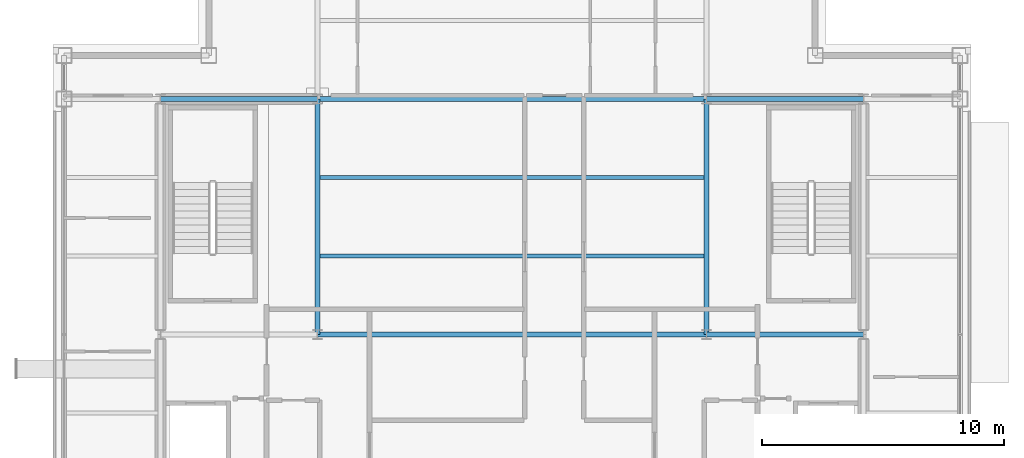
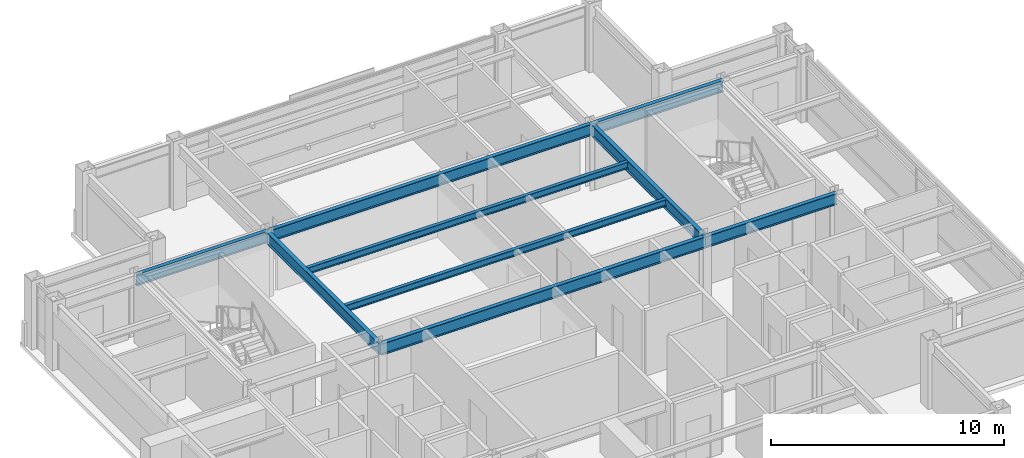
# One storey, part 9 of 20: 9 beams.
"""IFC4 building model written with IfcOpenShell, lengths in metres."""

from ifc_helpers import new_model, si_unit, direction, frame, origin, origin_2d, place, context, subcontext, project, spatial, i_section, extrude, material, material_profile, profile_set, type_object, element, save


model = new_model("IFC4")

# Units and contexts
model_context = context("Model", 3, precision=1e-05, world=origin(), true_north=direction((0.0, 1.0)))
body_context = subcontext(model_context, "Body", "Model", "MODEL_VIEW")
ifc_project = project(units=[si_unit("LENGTHUNIT", "METRE"), si_unit("AREAUNIT", "SQUARE_METRE"), si_unit("VOLUMEUNIT", "CUBIC_METRE"), si_unit("PLANEANGLEUNIT", "RADIAN"), si_unit("MASSUNIT", "GRAM", prefix="KILO")], contexts=[model_context])

# Site, building, storey
site_placement = place(None, origin())
site = spatial("IfcSite", under=ifc_project, at=site_placement, CompositionType="ELEMENT")
building_placement = place(site_placement, origin())
building = spatial("IfcBuilding", under=site, at=building_placement, Name="Brelmoor Portico Tower", CompositionType="ELEMENT")
storey_placement = place(building_placement, frame((0.0, 0.0, 243.60009765625)))
storey = spatial("IfcBuildingStorey", under=building, at=storey_placement, Name="L64", CompositionType="ELEMENT", Elevation=243.60009765625)

# Beams
ifc_material = material(Name="Steel Q355B", Category="steel")
ifc_material_profile_1 = material_profile(ifc_material, i_section(OverallWidth=0.175048828125, OverallDepth=0.35009765625, WebThickness=0.007080078125, FlangeThickness=0.010986328125, at=origin_2d()), Name="HN 350x175x7x11")
ifc_profile_set_1 = profile_set([ifc_material_profile_1], Name="Steel Q355B")
beam_type_1 = type_object("IfcBeamType", Name="BM-JS-350", PredefinedType="JOIST", material=ifc_profile_set_1)
for number, where, z_axis, x_axis, name in (
    (1, (-7.949951171875, 3.25, 3.224853515625), (1.0, 0.0, 0.0), (0.0, 1.0, 0.0), "L64 Secondary Composite Joist JS-C03"),
    (2, (-7.949951171875, 6.5, 3.224853515625), (1.0, 0.0, 0.0), (0.0, 1.0, 0.0), "L64 Secondary Composite Joist JS-C04"),
):
    element("IfcBeam", number, at=place(storey_placement, frame(where, z_axis=z_axis, x_axis=x_axis)), inside=storey, type_object=beam_type_1, Name=name, PredefinedType="JOIST", context=body_context, shape_type="SweptSolid", body=[
        extrude(i_section(OverallWidth=0.175048828125, OverallDepth=0.35009765625, WebThickness=0.007080078125, FlangeThickness=0.010986328125, at=origin_2d()), origin(), (0.0, 0.0, 1.0), 15.89990234375),
    ])
ifc_material_profile_2 = material_profile(ifc_material, i_section(OverallWidth=0.199951171875, OverallDepth=0.60009765625, WebThickness=0.010986328125, FlangeThickness=0.01708984375, at=origin_2d()), Name="HN 600x200x11x17")
ifc_profile_set_2 = profile_set([ifc_material_profile_2], Name="Steel Q355B")
beam_type_2 = type_object("IfcBeamType", Name="BM-PG-600", PredefinedType="BEAM", material=ifc_profile_set_2)
for number, where, z_axis, x_axis, name in (
    (3, (-8.050048828125, 0.0, 3.099853515625), (0.0, 1.0, 0.0), (-1.0, 0.0, 0.0), "L64 Primary Floor Girder PG-04"),
    (4, (8.050048828125, 0.0, 3.099853515625), (0.0, 1.0, 0.0), (-1.0, 0.0, 0.0), "L64 Primary Floor Girder PG-07"),
):
    element("IfcBeam", number, at=place(storey_placement, frame(where, z_axis=z_axis, x_axis=x_axis)), inside=storey, type_object=beam_type_2, Name=name, PredefinedType="BEAM", context=body_context, shape_type="SweptSolid", body=[
        extrude(i_section(OverallWidth=0.199951171875, OverallDepth=0.60009765625, WebThickness=0.010986328125, FlangeThickness=0.01708984375, at=origin_2d()), origin(), (0.0, 0.0, 1.0), 9.75),
    ])
beam_1_placement = place(storey_placement, frame((-8.050048828125, 0.0, 3.099853515625), z_axis=(1.0, 0.0, 0.0), x_axis=(0.0, 1.0, 0.0)))
element("IfcBeam", 5, at=beam_1_placement, inside=storey, type_object=beam_type_2, Name="L64 Primary Floor Girder PG-17", PredefinedType="BEAM", context=body_context, shape_type="SweptSolid", body=[
    extrude(i_section(OverallWidth=0.199951171875, OverallDepth=0.60009765625, WebThickness=0.010986328125, FlangeThickness=0.01708984375, at=origin_2d()), origin(), (0.0, 0.0, 1.0), 16.10009765625),
])
for number, where, z_axis, x_axis, name in (
    (6, (8.050048828125, 0.0, 3.099853515625), (1.0, 0.0, 0.0), (0.0, 1.0, 0.0), "L64 Primary Floor Girder PG-18"),
    (7, (-14.550048828125, 9.75, 3.099853515625), (1.0, 0.0, 0.0), (0.0, 1.0, 0.0), "L64 Primary Floor Girder PG-20"),
):
    element("IfcBeam", number, at=place(storey_placement, frame(where, z_axis=z_axis, x_axis=x_axis)), inside=storey, type_object=beam_type_2, Name=name, PredefinedType="BEAM", context=body_context, shape_type="SweptSolid", body=[
        extrude(i_section(OverallWidth=0.199951171875, OverallDepth=0.60009765625, WebThickness=0.010986328125, FlangeThickness=0.01708984375, at=origin_2d()), origin(), (0.0, 0.0, 1.0), 6.5),
    ])
beam_2_placement = place(storey_placement, frame((-8.050048828125, 9.75, 3.099853515625), z_axis=(1.0, 0.0, 0.0), x_axis=(0.0, 1.0, 0.0)))
element("IfcBeam", 8, at=beam_2_placement, inside=storey, type_object=beam_type_2, Name="L64 Primary Floor Girder PG-21", PredefinedType="BEAM", context=body_context, shape_type="SweptSolid", body=[
    extrude(i_section(OverallWidth=0.199951171875, OverallDepth=0.60009765625, WebThickness=0.010986328125, FlangeThickness=0.01708984375, at=origin_2d()), origin(), (0.0, 0.0, 1.0), 16.10009765625),
])
beam_3_placement = place(storey_placement, frame((8.050048828125, 9.75, 3.099853515625), z_axis=(1.0, 0.0, 0.0), x_axis=(0.0, 1.0, 0.0)))
element("IfcBeam", 9, at=beam_3_placement, inside=storey, type_object=beam_type_2, Name="L64 Primary Floor Girder PG-22", PredefinedType="BEAM", context=body_context, shape_type="SweptSolid", body=[
    extrude(i_section(OverallWidth=0.199951171875, OverallDepth=0.60009765625, WebThickness=0.010986328125, FlangeThickness=0.01708984375, at=origin_2d()), origin(), (0.0, 0.0, 1.0), 6.5),
])

save(model, "model.ifc")
